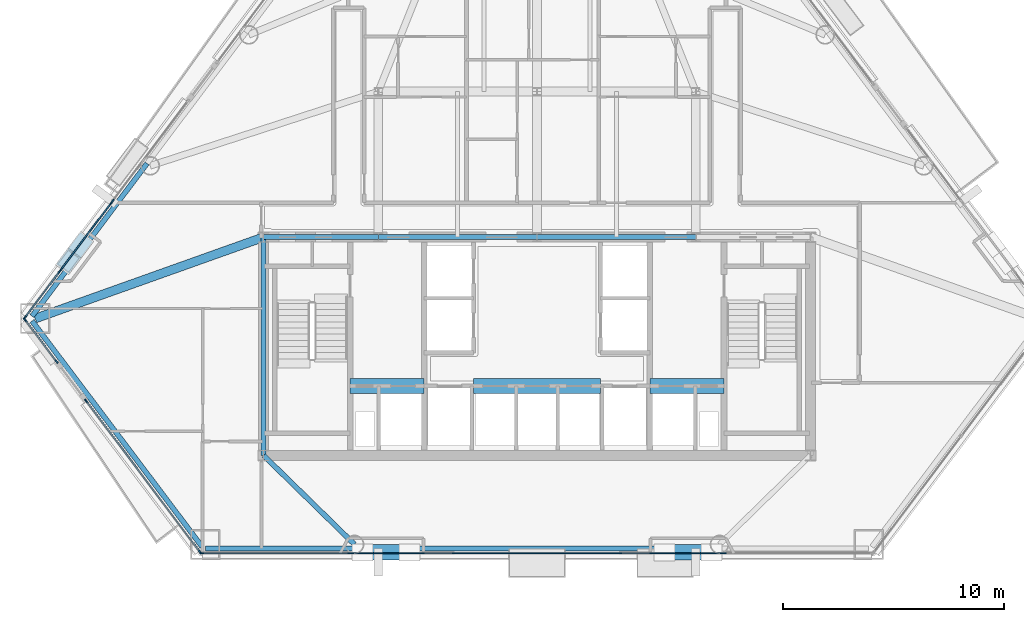
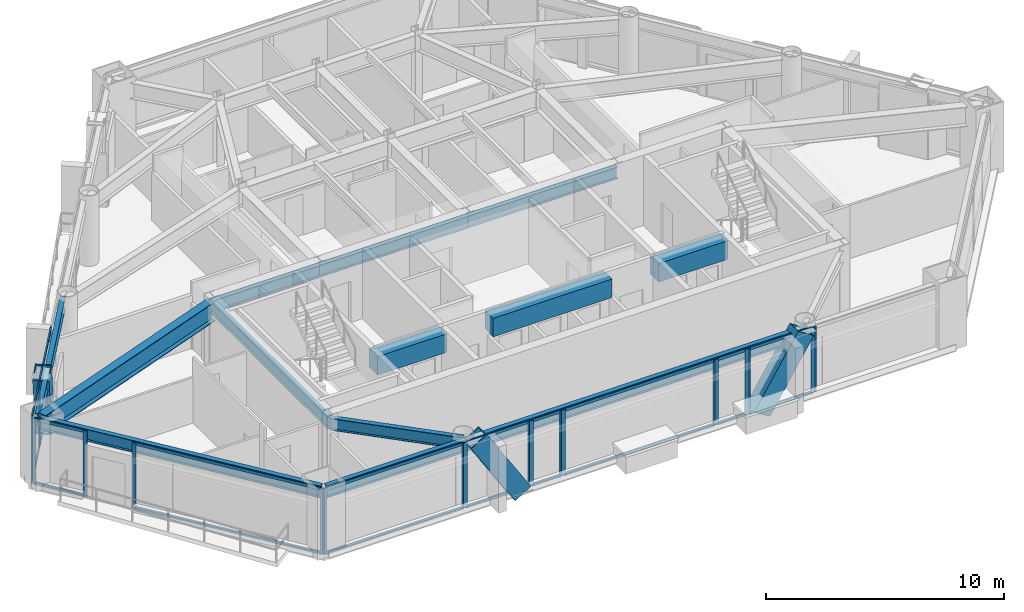
# One storey, part 2 of 11: 45 members, 13 beams, 12 elements without a shape of their own.
"""IFC4 building model written with IfcOpenShell, lengths in metres."""

from ifc_helpers import new_model, si_unit, direction, frame, origin, origin_2d, place, context, subcontext, project, spatial, rectangle, hollow_rectangle, i_section, extrude, material, layer, layer_set, material_profile, profile_set, type_object, element, aggregate, save


model = new_model("IFC4")

# Units and contexts
model_context = context("Model", 3, precision=1e-05, world=origin(), true_north=direction((0.0, 1.0)))
body_context = subcontext(model_context, "Body", "Model", "MODEL_VIEW")
ifc_project = project(units=[si_unit("LENGTHUNIT", "METRE"), si_unit("AREAUNIT", "SQUARE_METRE"), si_unit("VOLUMEUNIT", "CUBIC_METRE"), si_unit("PLANEANGLEUNIT", "RADIAN"), si_unit("MASSUNIT", "GRAM", prefix="KILO")], contexts=[model_context])

# Site, building, storey
site_placement = place(None, origin())
site = spatial("IfcSite", under=ifc_project, at=site_placement, CompositionType="ELEMENT")
building_placement = place(site_placement, origin())
building = spatial("IfcBuilding", under=site, at=building_placement, Name="Talgorran Terracotta Tower", CompositionType="ELEMENT")
storey_placement = place(building_placement, frame((0.0, 0.0, 45.89990234375)))
storey = spatial("IfcBuildingStorey", under=building, at=storey_placement, Name="L11", CompositionType="ELEMENT", Elevation=45.89990234375)

# Beams
ifc_material_1 = material(Name="Steel Grade 350 (350L0)", Category="steel")
ifc_material_profile_1 = material_profile(ifc_material_1, i_section(OverallWidth=0.39990234375, OverallDepth=1.0, WebThickness=0.01611328125, FlangeThickness=0.031005859375, at=origin_2d()), Name="1000WB296")
ifc_profile_set_1 = profile_set([ifc_material_profile_1], Name="Steel Grade 350 (350L0)")
beam_type_1 = type_object("IfcBeamType", Name="BM_1000WB296", PredefinedType="BEAM", material=ifc_profile_set_1)
beam_1_placement = place(storey_placement, frame((-12.39990234375, -4.199951171875, 2.85009765625), z_axis=(-0.941952171634, -0.335747086889, 0.0), x_axis=(0.335747086889, -0.941952171634, 0.0)))
element("IfcBeam", 1, at=beam_1_placement, inside=storey, type_object=beam_type_1, Name="L11 Floor Girder G17", PredefinedType="BEAM", context=body_context, shape_type="SweptSolid", body=[
    extrude(i_section(OverallWidth=0.39990234375, OverallDepth=1.0, WebThickness=0.01611328125, FlangeThickness=0.031005859375, at=origin_2d()), origin(), (0.0, 0.0, 1.0), 10.99755859375),
])
ifc_material_2 = material(Name="Concrete C65/80", Category="concrete")
ifc_material_profile_2 = material_profile(ifc_material_2, rectangle(XDim=0.699951171875, YDim=0.949951171875, at=origin_2d()), Name="RCCB700X950")
ifc_profile_set_2 = profile_set([ifc_material_profile_2], Name="Concrete C65/80")
beam_type_2 = type_object("IfcBeamType", Name="BM_CB_700X950", PredefinedType="LINTEL", material=ifc_profile_set_2)
beam_2_placement = place(storey_placement, frame((-8.47998046875, -10.949951171875, 2.875), z_axis=(1.0, 0.0, 0.0), x_axis=(0.0, 1.0, 0.0)))
element("IfcBeam", 2, at=beam_2_placement, inside=storey, type_object=beam_type_2, Name="L11 Core Shear-Wall Coupling Beam CB1", PredefinedType="LINTEL", context=body_context, shape_type="SweptSolid", body=[
    extrude(rectangle(XDim=0.699951171875, YDim=0.949951171875, at=origin_2d()), origin(), (0.0, 0.0, 1.0), 3.35986328125),
])
beam_3_placement = place(storey_placement, frame((-2.8798828125, -10.949951171875, 2.875), z_axis=(1.0, 0.0, 0.0), x_axis=(0.0, 1.0, 0.0)))
element("IfcBeam", 3, at=beam_3_placement, inside=storey, type_object=beam_type_2, Name="L11 Core Shear-Wall Coupling Beam CB2", PredefinedType="LINTEL", context=body_context, shape_type="SweptSolid", body=[
    extrude(rectangle(XDim=0.699951171875, YDim=0.949951171875, at=origin_2d()), origin(), (0.0, 0.0, 1.0), 5.759765625),
])
beam_4_placement = place(storey_placement, frame((5.1201171875, -10.949951171875, 2.875), z_axis=(1.0, 0.0, 0.0), x_axis=(0.0, 1.0, 0.0)))
element("IfcBeam", 4, at=beam_4_placement, inside=storey, type_object=beam_type_2, Name="L11 Core Shear-Wall Coupling Beam CB3", PredefinedType="LINTEL", context=body_context, shape_type="SweptSolid", body=[
    extrude(rectangle(XDim=0.699951171875, YDim=0.949951171875, at=origin_2d()), origin(), (0.0, 0.0, 1.0), 3.35986328125),
])
ifc_material_3 = material(Name="Steel S355 (300PLUS)", Category="steel")
ifc_material_profile_3 = material_profile(ifc_material_3, i_section(OverallWidth=0.22900390625, OverallDepth=0.611572265625, WebThickness=0.011962890625, FlangeThickness=0.01953125, at=origin_2d()), Name="610UB125")
ifc_profile_set_3 = profile_set([ifc_material_profile_3], Name="Steel S355 (300PLUS)")
beam_type_3 = type_object("IfcBeamType", Name="BM_SP_610UB125", PredefinedType="SPANDREL", material=ifc_profile_set_3)
beam_5_placement = place(storey_placement, frame((-22.90283203125, -8.000732421875, 3.044189453125), z_axis=(0.601631480878, -0.79877378601, 0.0), x_axis=(0.79877378601, 0.601631480878, 0.0)))
element("IfcBeam", 5, at=beam_5_placement, inside=storey, type_object=beam_type_3, Name="L11 Perimeter Spandrel Beam MC1-MC2", PredefinedType="SPANDREL", context=body_context, shape_type="SweptSolid", body=[
    extrude(i_section(OverallWidth=0.22900390625, OverallDepth=0.611572265625, WebThickness=0.011962890625, FlangeThickness=0.01953125, at=origin_2d()), origin(), (0.0, 0.0, 1.0), 12.82373046875),
])
beam_6_placement = place(storey_placement, frame((-15.0439453125, -18.315673828125, 3.044189453125), z_axis=(1.0, 0.0, 0.0), x_axis=(0.0, 1.0, 0.0)))
element("IfcBeam", 6, at=beam_6_placement, inside=storey, type_object=beam_type_3, Name="L11 Perimeter Spandrel Beam MC2-FC1", PredefinedType="SPANDREL", context=body_context, shape_type="SweptSolid", body=[
    extrude(i_section(OverallWidth=0.22900390625, OverallDepth=0.611572265625, WebThickness=0.011962890625, FlangeThickness=0.01953125, at=origin_2d()), origin(), (0.0, 0.0, 1.0), 6.769775390625),
])
beam_7_placement = place(storey_placement, frame((-8.274169921875, -18.315673828125, 3.044189453125), z_axis=(1.0, 0.0, 0.0), x_axis=(0.0, 1.0, 0.0)))
element("IfcBeam", 7, at=beam_7_placement, inside=storey, type_object=beam_type_3, Name="L11 Perimeter Spandrel Beam FC1-FC2", PredefinedType="SPANDREL", context=body_context, shape_type="SweptSolid", body=[
    extrude(i_section(OverallWidth=0.22900390625, OverallDepth=0.611572265625, WebThickness=0.011962890625, FlangeThickness=0.01953125, at=origin_2d()), origin(), (0.0, 0.0, 1.0), 16.54833984375),
])
beam_8_placement = place(storey_placement, frame((-17.68359375, -0.854736328125, 3.044189453125), z_axis=(-0.601633271951, -0.798772436981, 0.0), x_axis=(0.798772436981, -0.601633271951, 0.0)))
element("IfcBeam", 8, at=beam_8_placement, inside=storey, type_object=beam_type_3, Name="L11 Perimeter Spandrel Beam FC6-MC1", PredefinedType="SPANDREL", context=body_context, shape_type="SweptSolid", body=[
    extrude(i_section(OverallWidth=0.22900390625, OverallDepth=0.611572265625, WebThickness=0.011962890625, FlangeThickness=0.01953125, at=origin_2d()), origin(), (0.0, 0.0, 1.0), 8.675048828125),
])
beam_9_placement = place(storey_placement, frame((-8.274169921875, -18.135498046875, 3.044189453125), z_axis=(-0.714889648405, 0.699237292058, 0.0), x_axis=(-0.699237292058, -0.714889648405, 0.0)))
element("IfcBeam", 9, at=beam_9_placement, inside=storey, type_object=beam_type_3, Name="L11 South-West Core Tie Beam", PredefinedType="SPANDREL", context=body_context, shape_type="SweptSolid", body=[
    extrude(i_section(OverallWidth=0.22900390625, OverallDepth=0.611572265625, WebThickness=0.011962890625, FlangeThickness=0.01953125, at=origin_2d()), origin(), (0.0, 0.0, 1.0), 5.771240234375),
])
beam_10_placement = place(storey_placement, frame((-12.39990234375, -14.10009765625, 3.044189453125), z_axis=(0.0, 1.0, 0.0), x_axis=(-1.0, 0.0, 0.0)))
element("IfcBeam", 10, at=beam_10_placement, inside=storey, type_object=beam_type_3, Name="L11 Core Frame Beam CFW", PredefinedType="SPANDREL", context=body_context, shape_type="SweptSolid", body=[
    extrude(i_section(OverallWidth=0.22900390625, OverallDepth=0.611572265625, WebThickness=0.011962890625, FlangeThickness=0.01953125, at=origin_2d()), origin(), (0.0, 0.0, 1.0), 9.900146484375),
])
beam_11_placement = place(storey_placement, frame((-12.39990234375, -4.199951171875, 3.044189453125), z_axis=(1.0, 0.0, 0.0), x_axis=(0.0, 1.0, 0.0)))
element("IfcBeam", 11, at=beam_11_placement, inside=storey, type_object=beam_type_3, Name="L11 Core Frame Beam CFN1", PredefinedType="SPANDREL", context=body_context, shape_type="SweptSolid", body=[
    extrude(i_section(OverallWidth=0.22900390625, OverallDepth=0.611572265625, WebThickness=0.011962890625, FlangeThickness=0.01953125, at=origin_2d()), origin(), (0.0, 0.0, 1.0), 5.199951171875),
])
for number, where, z_axis, x_axis, name in (
    (12, (-7.199951171875, -4.199951171875, 3.044189453125), (1.0, 0.0, 0.0), (0.0, 1.0, 0.0), "L11 Core Frame Beam CFN2"),
    (13, (0.0, -4.199951171875, 3.044189453125), (1.0, 0.0, 0.0), (0.0, 1.0, 0.0), "L11 Core Frame Beam CFN3"),
):
    element("IfcBeam", number, at=place(storey_placement, frame(where, z_axis=z_axis, x_axis=x_axis)), inside=storey, type_object=beam_type_3, Name=name, PredefinedType="SPANDREL", context=body_context, shape_type="SweptSolid", body=[
        extrude(i_section(OverallWidth=0.22900390625, OverallDepth=0.611572265625, WebThickness=0.011962890625, FlangeThickness=0.01953125, at=origin_2d()), origin(), (0.0, 0.0, 1.0), 7.199951171875),
    ])

# Members
ifc_material_profile_4 = material_profile(ifc_material_1, hollow_rectangle(XDim=0.699951171875, YDim=0.89990234375, WallThickness=0.050048828125, at=origin_2d()), Name="WBOX900X700X50")
ifc_profile_set_4 = profile_set([ifc_material_profile_4], Name="Steel Grade 350 (350L0)")
member_type_1 = type_object("IfcMemberType", Name="MB_MEGA_900", PredefinedType="BRACE", material=ifc_profile_set_4)
for number, where, z_axis, x_axis, name in (
    (14, (-5.784912109375, -18.49560546875, -0.02490234375), (-0.531146924062, 0.0, 0.847279732473), (0.0, -1.0, 0.0), "L11 Exterior Face Mega-Brace MB-1 (SWF)"),
    (15, (5.784912109375, -18.49560546875, -0.02490234375), (0.531146924062, 0.0, 0.847279732473), (0.0, 1.0, 0.0), "L11 Exterior Face Mega-Brace MB-1 (SEF)"),
):
    element("IfcMember", number, at=place(storey_placement, frame(where, z_axis=z_axis, x_axis=x_axis)), inside=storey, type_object=member_type_1, Name=name, PredefinedType="BRACE", context=body_context, shape_type="SweptSolid", body=[
        extrude(hollow_rectangle(XDim=0.699951171875, YDim=0.89990234375, WallThickness=0.050048828125, at=origin_2d()), origin(), (0.0, 0.0, 1.0), 4.0126953125),
    ])
member_1_placement = place(storey_placement, frame((-20.689453125, -4.546142578125, -0.02490234375), z_axis=(-0.159330882723, -0.211541002485, 0.964294599217), x_axis=(0.798774681466, -0.601630291998, 0.0)))
element("IfcMember", 16, at=member_1_placement, inside=storey, type_object=member_type_1, Name="L11 Exterior Face Mega-Brace MB-1 (NWL)", PredefinedType="BRACE", context=body_context, shape_type="SweptSolid", body=[
    extrude(hollow_rectangle(XDim=0.699951171875, YDim=0.89990234375, WallThickness=0.050048828125, at=origin_2d()), origin(), (0.0, 0.0, 1.0), 3.52587890625),
])

# Curtain wall, members
ifc_material_4 = material(Name="Unitised Low-E Double Glazing", Category="glass")
ifc_layer = layer(ifc_material_4, 0.199951171875, Name="CW_SYS2_RES_LOW")
ifc_layer_set = layer_set([ifc_layer], Name="Unitised Low-E Double Glazing")
curtain_wall_type = type_object("IfcCurtainWallType", Name="CW_SYS2_RES_LOW", PredefinedType="NOTDEFINED", material=ifc_layer_set)
curtain_wall_1_placement = place(storey_placement, origin())
curtain_wall_1 = element("IfcCurtainWall", 17, at=curtain_wall_1_placement, inside=storey, type_object=curtain_wall_type, Name="CW-L11-F10", PredefinedType="NOTDEFINED")
ifc_material_5 = material(Name="Architectural Aluminium 6063-T6", Category="aluminium")
ifc_material_profile_5 = material_profile(ifc_material_5, rectangle(XDim=0.06494140625, YDim=0.18505859375, at=origin_2d()), Name="CWM65X185")
ifc_profile_set_5 = profile_set([ifc_material_profile_5], Name="Architectural Aluminium 6063-T6")
member_type_2 = type_object("IfcMemberType", Name="MUL_65X185", PredefinedType="MULLION", material=ifc_profile_set_5)
member_2_placement = place(storey_placement, frame((-23.216064453125, -7.950439453125, 0.0), z_axis=(0.0, 0.0, 1.0), x_axis=(0.798762938976, 0.601645881993, 0.0)))
member_2 = element("IfcMember", 18, at=member_2_placement, type_object=member_type_2, Name="CW-L11-10 mullion 1", PredefinedType="MULLION", context=body_context, shape_type="SweptSolid", body=[
    extrude(rectangle(XDim=0.06494140625, YDim=0.18505859375, at=origin_2d()), origin(), (0.0, 0.0, 1.0), 3.35009765625),
])
member_3_placement = place(storey_placement, frame((-21.788330078125, -9.845947265625, 0.0), z_axis=(0.0, 0.0, 1.0), x_axis=(0.798762938976, 0.601645881993, 0.0)))
member_3 = element("IfcMember", 19, at=member_3_placement, type_object=member_type_2, Name="CW-L11-10 mullion 2", PredefinedType="MULLION", context=body_context, shape_type="SweptSolid", body=[
    extrude(rectangle(XDim=0.06494140625, YDim=0.18505859375, at=origin_2d()), origin(), (0.0, 0.0, 1.0), 3.35009765625),
])

curtain_wall_2_placement = place(storey_placement, origin())
curtain_wall_2 = element("IfcCurtainWall", 20, at=curtain_wall_2_placement, inside=storey, type_object=curtain_wall_type, Name="CW-L11-F11", PredefinedType="NOTDEFINED")
member_4_placement = place(storey_placement, frame((-20.44970703125, -11.623291015625, 0.0), z_axis=(0.0, 0.0, 1.0), x_axis=(0.798772812972, 0.601632772758, 0.0)))
member_4 = element("IfcMember", 21, at=member_4_placement, type_object=member_type_2, Name="CW-L11-11 mullion 1", PredefinedType="MULLION", context=body_context, shape_type="SweptSolid", body=[
    extrude(rectangle(XDim=0.06494140625, YDim=0.18505859375, at=origin_2d()), origin(), (0.0, 0.0, 1.0), 3.35009765625),
])
member_5_placement = place(storey_placement, frame((-15.287109375, -18.4775390625, 0.0), z_axis=(0.0, 0.0, 1.0), x_axis=(0.798772812972, 0.601632772758, 0.0)))
member_5 = element("IfcMember", 22, at=member_5_placement, type_object=member_type_2, Name="CW-L11-11 mullion 2", PredefinedType="MULLION", context=body_context, shape_type="SweptSolid", body=[
    extrude(rectangle(XDim=0.06494140625, YDim=0.18505859375, at=origin_2d()), origin(), (0.0, 0.0, 1.0), 3.35009765625),
])

curtain_wall_3_placement = place(storey_placement, origin())
curtain_wall_3 = element("IfcCurtainWall", 23, at=curtain_wall_3_placement, inside=storey, type_object=curtain_wall_type, Name="CW-L11-F1", PredefinedType="NOTDEFINED")
member_6_placement = place(storey_placement, frame((-15.2109375, -18.53564453125, 0.0), z_axis=(0.0, 0.0, 1.0), x_axis=(0.0, 1.0, 0.0)))
member_6 = element("IfcMember", 24, at=member_6_placement, type_object=member_type_2, Name="CW-L11-1 mullion 1", PredefinedType="MULLION", context=body_context, shape_type="SweptSolid", body=[
    extrude(rectangle(XDim=0.06494140625, YDim=0.18505859375, at=origin_2d()), origin(), (0.0, 0.0, 1.0), 3.35009765625),
])
member_7_placement = place(storey_placement, frame((-8.485107421875, -18.53564453125, 0.0), z_axis=(0.0, 0.0, 1.0), x_axis=(0.0, 1.0, 0.0)))
member_7 = element("IfcMember", 25, at=member_7_placement, type_object=member_type_2, Name="CW-L11-1 mullion 2", PredefinedType="MULLION", context=body_context, shape_type="SweptSolid", body=[
    extrude(rectangle(XDim=0.06494140625, YDim=0.18505859375, at=origin_2d()), origin(), (0.0, 0.0, 1.0), 3.35009765625),
])

curtain_wall_4_placement = place(storey_placement, origin())
curtain_wall_4 = element("IfcCurtainWall", 26, at=curtain_wall_4_placement, inside=storey, type_object=curtain_wall_type, Name="CW-L11-F1B", PredefinedType="NOTDEFINED")
member_8_placement = place(storey_placement, frame((-8.409912109375, -18.53564453125, 0.0), z_axis=(0.0, 0.0, 1.0), x_axis=(0.0, 1.0, 0.0)))
member_8 = element("IfcMember", 27, at=member_8_placement, type_object=member_type_2, Name="CW-L11-1B mullion 1", PredefinedType="MULLION", context=body_context, shape_type="SweptSolid", body=[
    extrude(rectangle(XDim=0.06494140625, YDim=0.18505859375, at=origin_2d()), origin(), (0.0, 0.0, 1.0), 3.35009765625),
])
member_9_placement = place(storey_placement, frame((-5.291015625, -18.53564453125, 0.0), z_axis=(0.0, 0.0, 1.0), x_axis=(0.0, 1.0, 0.0)))
member_9 = element("IfcMember", 28, at=member_9_placement, type_object=member_type_2, Name="CW-L11-1B mullion 2", PredefinedType="MULLION", context=body_context, shape_type="SweptSolid", body=[
    extrude(rectangle(XDim=0.06494140625, YDim=0.18505859375, at=origin_2d()), origin(), (0.0, 0.0, 1.0), 3.35009765625),
])

curtain_wall_5_placement = place(storey_placement, origin())
curtain_wall_5 = element("IfcCurtainWall", 29, at=curtain_wall_5_placement, inside=storey, type_object=curtain_wall_type, Name="CW-L11-F1C", PredefinedType="NOTDEFINED")
member_10_placement = place(storey_placement, frame((-5.216064453125, -18.53564453125, 0.0), z_axis=(0.0, 0.0, 1.0), x_axis=(0.0, 1.0, 0.0)))
member_10 = element("IfcMember", 30, at=member_10_placement, type_object=member_type_2, Name="CW-L11-1C mullion 1", PredefinedType="MULLION", context=body_context, shape_type="SweptSolid", body=[
    extrude(rectangle(XDim=0.06494140625, YDim=0.18505859375, at=origin_2d()), origin(), (0.0, 0.0, 1.0), 3.35009765625),
])
member_11_placement = place(storey_placement, frame((-3.751220703125, -18.53564453125, 0.0), z_axis=(0.0, 0.0, 1.0), x_axis=(0.0, 1.0, 0.0)))
member_11 = element("IfcMember", 31, at=member_11_placement, type_object=member_type_2, Name="CW-L11-1C mullion 2", PredefinedType="MULLION", context=body_context, shape_type="SweptSolid", body=[
    extrude(rectangle(XDim=0.06494140625, YDim=0.18505859375, at=origin_2d()), origin(), (0.0, 0.0, 1.0), 3.35009765625),
])

curtain_wall_6_placement = place(storey_placement, origin())
curtain_wall_6 = element("IfcCurtainWall", 32, at=curtain_wall_6_placement, inside=storey, type_object=curtain_wall_type, Name="CW-L11-F1D", PredefinedType="NOTDEFINED")
member_12_placement = place(storey_placement, frame((-3.67626953125, -18.53564453125, 0.0), z_axis=(0.0, 0.0, 1.0), x_axis=(0.0, 1.0, 0.0)))
member_12 = element("IfcMember", 33, at=member_12_placement, type_object=member_type_2, Name="CW-L11-1D mullion 1", PredefinedType="MULLION", context=body_context, shape_type="SweptSolid", body=[
    extrude(rectangle(XDim=0.06494140625, YDim=0.18505859375, at=origin_2d()), origin(), (0.0, 0.0, 1.0), 3.35009765625),
])
member_13_placement = place(storey_placement, frame((3.67626953125, -18.53564453125, 0.0), z_axis=(0.0, 0.0, 1.0), x_axis=(0.0, 1.0, 0.0)))
member_13 = element("IfcMember", 34, at=member_13_placement, type_object=member_type_2, Name="CW-L11-1D mullion 2", PredefinedType="MULLION", context=body_context, shape_type="SweptSolid", body=[
    extrude(rectangle(XDim=0.06494140625, YDim=0.18505859375, at=origin_2d()), origin(), (0.0, 0.0, 1.0), 3.35009765625),
])

curtain_wall_7_placement = place(storey_placement, origin())
curtain_wall_7 = element("IfcCurtainWall", 35, at=curtain_wall_7_placement, inside=storey, type_object=curtain_wall_type, Name="CW-L11-F1E", PredefinedType="NOTDEFINED")
member_14_placement = place(storey_placement, frame((3.751220703125, -18.53564453125, 0.0), z_axis=(0.0, 0.0, 1.0), x_axis=(0.0, 1.0, 0.0)))
member_14 = element("IfcMember", 36, at=member_14_placement, type_object=member_type_2, Name="CW-L11-1E mullion 1", PredefinedType="MULLION", context=body_context, shape_type="SweptSolid", body=[
    extrude(rectangle(XDim=0.06494140625, YDim=0.18505859375, at=origin_2d()), origin(), (0.0, 0.0, 1.0), 3.35009765625),
])
member_15_placement = place(storey_placement, frame((5.216064453125, -18.53564453125, 0.0), z_axis=(0.0, 0.0, 1.0), x_axis=(0.0, 1.0, 0.0)))
member_15 = element("IfcMember", 37, at=member_15_placement, type_object=member_type_2, Name="CW-L11-1E mullion 2", PredefinedType="MULLION", context=body_context, shape_type="SweptSolid", body=[
    extrude(rectangle(XDim=0.06494140625, YDim=0.18505859375, at=origin_2d()), origin(), (0.0, 0.0, 1.0), 3.35009765625),
])

curtain_wall_8_placement = place(storey_placement, origin())
curtain_wall_8 = element("IfcCurtainWall", 38, at=curtain_wall_8_placement, inside=storey, type_object=curtain_wall_type, Name="CW-L11-F1F", PredefinedType="NOTDEFINED")
member_16_placement = place(storey_placement, frame((5.291015625, -18.53564453125, 0.0), z_axis=(0.0, 0.0, 1.0), x_axis=(0.0, 1.0, 0.0)))
member_16 = element("IfcMember", 39, at=member_16_placement, type_object=member_type_2, Name="CW-L11-1F mullion 1", PredefinedType="MULLION", context=body_context, shape_type="SweptSolid", body=[
    extrude(rectangle(XDim=0.06494140625, YDim=0.18505859375, at=origin_2d()), origin(), (0.0, 0.0, 1.0), 3.35009765625),
])
member_17_placement = place(storey_placement, frame((8.409912109375, -18.53564453125, 0.0), z_axis=(0.0, 0.0, 1.0), x_axis=(0.0, 1.0, 0.0)))
member_17 = element("IfcMember", 40, at=member_17_placement, type_object=member_type_2, Name="CW-L11-1F mullion 2", PredefinedType="MULLION", context=body_context, shape_type="SweptSolid", body=[
    extrude(rectangle(XDim=0.06494140625, YDim=0.18505859375, at=origin_2d()), origin(), (0.0, 0.0, 1.0), 3.35009765625),
])

# Curtain wall, member
curtain_wall_9_placement = place(storey_placement, origin())
curtain_wall_9 = element("IfcCurtainWall", 41, at=curtain_wall_9_placement, inside=storey, type_object=curtain_wall_type, Name="CW-L11-F1G", PredefinedType="NOTDEFINED")
member_18_placement = place(storey_placement, frame((8.485107421875, -18.53564453125, 0.0), z_axis=(0.0, 0.0, 1.0), x_axis=(0.0, 1.0, 0.0)))
member_18 = element("IfcMember", 42, at=member_18_placement, type_object=member_type_2, Name="CW-L11-1G mullion 1", PredefinedType="MULLION", context=body_context, shape_type="SweptSolid", body=[
    extrude(rectangle(XDim=0.06494140625, YDim=0.18505859375, at=origin_2d()), origin(), (0.0, 0.0, 1.0), 3.35009765625),
])
aggregate(curtain_wall_9, [member_18])

curtain_wall_10_placement = place(storey_placement, origin())
curtain_wall_10 = element("IfcCurtainWall", 43, at=curtain_wall_10_placement, inside=storey, type_object=curtain_wall_type, Name="CW-L11-F61", PredefinedType="NOTDEFINED")
member_19_placement = place(storey_placement, frame((-19.2470703125, -2.56494140625, 0.0), z_axis=(0.0, 0.0, 1.0), x_axis=(0.79877585665, -0.601628731722, 0.0)))
member_19 = element("IfcMember", 44, at=member_19_placement, type_object=member_type_2, Name="CW-L11-61 mullion 2", PredefinedType="MULLION", context=body_context, shape_type="SweptSolid", body=[
    extrude(rectangle(XDim=0.06494140625, YDim=0.18505859375, at=origin_2d()), origin(), (0.0, 0.0, 1.0), 3.35009765625),
])
aggregate(curtain_wall_10, [member_19])

# Curtain wall, members
curtain_wall_11_placement = place(storey_placement, origin())
curtain_wall_11 = element("IfcCurtainWall", 45, at=curtain_wall_11_placement, inside=storey, type_object=curtain_wall_type, Name="CW-L11-F61B", PredefinedType="NOTDEFINED")
member_20_placement = place(storey_placement, frame((-19.292236328125, -2.624755859375, 0.0), z_axis=(0.0, 0.0, 1.0), x_axis=(0.798774003378, -0.601631192283, 0.0)))
member_20 = element("IfcMember", 46, at=member_20_placement, type_object=member_type_2, Name="CW-L11-61B mullion 1", PredefinedType="MULLION", context=body_context, shape_type="SweptSolid", body=[
    extrude(rectangle(XDim=0.06494140625, YDim=0.18505859375, at=origin_2d()), origin(), (0.0, 0.0, 1.0), 3.35009765625),
])
member_21_placement = place(storey_placement, frame((-21.61181640625, -5.704345703125, 0.0), z_axis=(0.0, 0.0, 1.0), x_axis=(0.798774003378, -0.601631192283, 0.0)))
member_21 = element("IfcMember", 47, at=member_21_placement, type_object=member_type_2, Name="CW-L11-61B mullion 2", PredefinedType="MULLION", context=body_context, shape_type="SweptSolid", body=[
    extrude(rectangle(XDim=0.06494140625, YDim=0.18505859375, at=origin_2d()), origin(), (0.0, 0.0, 1.0), 3.35009765625),
])

curtain_wall_12_placement = place(storey_placement, origin())
curtain_wall_12 = element("IfcCurtainWall", 48, at=curtain_wall_12_placement, inside=storey, type_object=curtain_wall_type, Name="CW-L11-F61C", PredefinedType="NOTDEFINED")
member_22_placement = place(storey_placement, frame((-21.656982421875, -5.764404296875, 0.0), z_axis=(0.0, 0.0, 1.0), x_axis=(0.798769677919, -0.601636935067, 0.0)))
member_22 = element("IfcMember", 49, at=member_22_placement, type_object=member_type_2, Name="CW-L11-61C mullion 1", PredefinedType="MULLION", context=body_context, shape_type="SweptSolid", body=[
    extrude(rectangle(XDim=0.06494140625, YDim=0.18505859375, at=origin_2d()), origin(), (0.0, 0.0, 1.0), 3.35009765625),
])
member_23_placement = place(storey_placement, frame((-23.216064453125, -7.83447265625, 0.0), z_axis=(0.0, 0.0, 1.0), x_axis=(0.798769677919, -0.601636935067, 0.0)))
member_23 = element("IfcMember", 50, at=member_23_placement, type_object=member_type_2, Name="CW-L11-61C mullion 2", PredefinedType="MULLION", context=body_context, shape_type="SweptSolid", body=[
    extrude(rectangle(XDim=0.06494140625, YDim=0.18505859375, at=origin_2d()), origin(), (0.0, 0.0, 1.0), 3.35009765625),
])

# Member
ifc_material_profile_6 = material_profile(ifc_material_5, rectangle(XDim=0.06494140625, YDim=0.14990234375, at=origin_2d()), Name="CWT65X150")
ifc_profile_set_6 = profile_set([ifc_material_profile_6], Name="Architectural Aluminium 6063-T6")
member_type_3 = type_object("IfcMemberType", Name="TRN_65X150", PredefinedType="USERDEFINED", material=ifc_profile_set_6)
member_24_placement = place(storey_placement, frame((-23.196533203125, -7.976318359375, 0.03271484375), z_axis=(0.601623399788, -0.798779872573, 0.0), x_axis=(0.798779872573, 0.601623399788, 0.0)))
member_24 = element("IfcMember", 51, at=member_24_placement, type_object=member_type_3, Name="CW-L11-10 transom 1.1", ObjectType="TRANSOM", PredefinedType="USERDEFINED", context=body_context, shape_type="SweptSolid", body=[
    extrude(rectangle(XDim=0.06494140625, YDim=0.14990234375, at=origin_2d()), origin(), (0.0, 0.0, 1.0), 2.30810546875),
])

member_25_placement = place(storey_placement, frame((-23.196533203125, -7.976318359375, 3.317626953125), z_axis=(0.601623399788, -0.798779872573, 0.0), x_axis=(0.798779872573, 0.601623399788, 0.0)))
member_25 = element("IfcMember", 52, at=member_25_placement, type_object=member_type_3, Name="CW-L11-10 transom 1.2", ObjectType="TRANSOM", PredefinedType="USERDEFINED", context=body_context, shape_type="SweptSolid", body=[
    extrude(rectangle(XDim=0.06494140625, YDim=0.14990234375, at=origin_2d()), origin(), (0.0, 0.0, 1.0), 2.30810546875),
])

aggregate(curtain_wall_1, [member_2, member_3, member_24, member_25])

member_26_placement = place(storey_placement, frame((-20.43017578125, -11.649169921875, 0.03271484375), z_axis=(0.601627100732, -0.79877708509, 0.0), x_axis=(0.79877708509, 0.601627100732, 0.0)))
member_26 = element("IfcMember", 53, at=member_26_placement, type_object=member_type_3, Name="CW-L11-11 transom 1.1", ObjectType="TRANSOM", PredefinedType="USERDEFINED", context=body_context, shape_type="SweptSolid", body=[
    extrude(rectangle(XDim=0.06494140625, YDim=0.14990234375, at=origin_2d()), origin(), (0.0, 0.0, 1.0), 8.51611328125),
])

member_27_placement = place(storey_placement, frame((-20.43017578125, -11.649169921875, 3.317626953125), z_axis=(0.601627100732, -0.79877708509, 0.0), x_axis=(0.79877708509, 0.601627100732, 0.0)))
member_27 = element("IfcMember", 54, at=member_27_placement, type_object=member_type_3, Name="CW-L11-11 transom 1.2", ObjectType="TRANSOM", PredefinedType="USERDEFINED", context=body_context, shape_type="SweptSolid", body=[
    extrude(rectangle(XDim=0.06494140625, YDim=0.14990234375, at=origin_2d()), origin(), (0.0, 0.0, 1.0), 8.51611328125),
])

aggregate(curtain_wall_2, [member_4, member_5, member_26, member_27])

member_28_placement = place(storey_placement, frame((-15.178466796875, -18.53564453125, 0.03271484375), z_axis=(1.0, 0.0, 0.0), x_axis=(0.0, 1.0, 0.0)))
member_28 = element("IfcMember", 55, at=member_28_placement, type_object=member_type_3, Name="CW-L11-1 transom 1.1", ObjectType="TRANSOM", PredefinedType="USERDEFINED", context=body_context, shape_type="SweptSolid", body=[
    extrude(rectangle(XDim=0.06494140625, YDim=0.14990234375, at=origin_2d()), origin(), (0.0, 0.0, 1.0), 6.660888671875),
])

member_29_placement = place(storey_placement, frame((-15.178466796875, -18.53564453125, 3.317626953125), z_axis=(1.0, 0.0, 0.0), x_axis=(0.0, 1.0, 0.0)))
member_29 = element("IfcMember", 56, at=member_29_placement, type_object=member_type_3, Name="CW-L11-1 transom 1.2", ObjectType="TRANSOM", PredefinedType="USERDEFINED", context=body_context, shape_type="SweptSolid", body=[
    extrude(rectangle(XDim=0.06494140625, YDim=0.14990234375, at=origin_2d()), origin(), (0.0, 0.0, 1.0), 6.660888671875),
])

aggregate(curtain_wall_3, [member_6, member_7, member_28, member_29])

member_30_placement = place(storey_placement, frame((-8.37744140625, -18.53564453125, 0.03271484375), z_axis=(1.0, 0.0, 0.0), x_axis=(0.0, 1.0, 0.0)))
member_30 = element("IfcMember", 57, at=member_30_placement, type_object=member_type_3, Name="CW-L11-1B transom 1.1", ObjectType="TRANSOM", PredefinedType="USERDEFINED", context=body_context, shape_type="SweptSolid", body=[
    extrude(rectangle(XDim=0.06494140625, YDim=0.14990234375, at=origin_2d()), origin(), (0.0, 0.0, 1.0), 3.053955078125),
])

member_31_placement = place(storey_placement, frame((-8.37744140625, -18.53564453125, 3.317626953125), z_axis=(1.0, 0.0, 0.0), x_axis=(0.0, 1.0, 0.0)))
member_31 = element("IfcMember", 58, at=member_31_placement, type_object=member_type_3, Name="CW-L11-1B transom 1.2", ObjectType="TRANSOM", PredefinedType="USERDEFINED", context=body_context, shape_type="SweptSolid", body=[
    extrude(rectangle(XDim=0.06494140625, YDim=0.14990234375, at=origin_2d()), origin(), (0.0, 0.0, 1.0), 3.053955078125),
])

aggregate(curtain_wall_4, [member_8, member_9, member_30, member_31])

member_32_placement = place(storey_placement, frame((-5.18359375, -18.53564453125, 0.03271484375), z_axis=(1.0, 0.0, 0.0), x_axis=(0.0, 1.0, 0.0)))
member_32 = element("IfcMember", 59, at=member_32_placement, type_object=member_type_3, Name="CW-L11-1C transom 1.1", ObjectType="TRANSOM", PredefinedType="USERDEFINED", context=body_context, shape_type="SweptSolid", body=[
    extrude(rectangle(XDim=0.06494140625, YDim=0.14990234375, at=origin_2d()), origin(), (0.0, 0.0, 1.0), 1.39990234375),
])

member_33_placement = place(storey_placement, frame((-5.18359375, -18.53564453125, 3.317626953125), z_axis=(1.0, 0.0, 0.0), x_axis=(0.0, 1.0, 0.0)))
member_33 = element("IfcMember", 60, at=member_33_placement, type_object=member_type_3, Name="CW-L11-1C transom 1.2", ObjectType="TRANSOM", PredefinedType="USERDEFINED", context=body_context, shape_type="SweptSolid", body=[
    extrude(rectangle(XDim=0.06494140625, YDim=0.14990234375, at=origin_2d()), origin(), (0.0, 0.0, 1.0), 1.39990234375),
])

aggregate(curtain_wall_5, [member_10, member_11, member_32, member_33])

member_34_placement = place(storey_placement, frame((-3.643798828125, -18.53564453125, 0.03271484375), z_axis=(1.0, 0.0, 0.0), x_axis=(0.0, 1.0, 0.0)))
member_34 = element("IfcMember", 61, at=member_34_placement, type_object=member_type_3, Name="CW-L11-1D transom 1.1", ObjectType="TRANSOM", PredefinedType="USERDEFINED", context=body_context, shape_type="SweptSolid", body=[
    extrude(rectangle(XDim=0.06494140625, YDim=0.14990234375, at=origin_2d()), origin(), (0.0, 0.0, 1.0), 7.28759765625),
])

member_35_placement = place(storey_placement, frame((-3.643798828125, -18.53564453125, 3.317626953125), z_axis=(1.0, 0.0, 0.0), x_axis=(0.0, 1.0, 0.0)))
member_35 = element("IfcMember", 62, at=member_35_placement, type_object=member_type_3, Name="CW-L11-1D transom 1.2", ObjectType="TRANSOM", PredefinedType="USERDEFINED", context=body_context, shape_type="SweptSolid", body=[
    extrude(rectangle(XDim=0.06494140625, YDim=0.14990234375, at=origin_2d()), origin(), (0.0, 0.0, 1.0), 7.28759765625),
])

aggregate(curtain_wall_6, [member_12, member_13, member_34, member_35])

member_36_placement = place(storey_placement, frame((3.78369140625, -18.53564453125, 0.03271484375), z_axis=(1.0, 0.0, 0.0), x_axis=(0.0, 1.0, 0.0)))
member_36 = element("IfcMember", 63, at=member_36_placement, type_object=member_type_3, Name="CW-L11-1E transom 1.1", ObjectType="TRANSOM", PredefinedType="USERDEFINED", context=body_context, shape_type="SweptSolid", body=[
    extrude(rectangle(XDim=0.06494140625, YDim=0.14990234375, at=origin_2d()), origin(), (0.0, 0.0, 1.0), 1.39990234375),
])

member_37_placement = place(storey_placement, frame((3.78369140625, -18.53564453125, 3.317626953125), z_axis=(1.0, 0.0, 0.0), x_axis=(0.0, 1.0, 0.0)))
member_37 = element("IfcMember", 64, at=member_37_placement, type_object=member_type_3, Name="CW-L11-1E transom 1.2", ObjectType="TRANSOM", PredefinedType="USERDEFINED", context=body_context, shape_type="SweptSolid", body=[
    extrude(rectangle(XDim=0.06494140625, YDim=0.14990234375, at=origin_2d()), origin(), (0.0, 0.0, 1.0), 1.39990234375),
])

aggregate(curtain_wall_7, [member_14, member_15, member_36, member_37])

member_38_placement = place(storey_placement, frame((5.323486328125, -18.53564453125, 0.03271484375), z_axis=(1.0, 0.0, 0.0), x_axis=(0.0, 1.0, 0.0)))
member_38 = element("IfcMember", 65, at=member_38_placement, type_object=member_type_3, Name="CW-L11-1F transom 1.1", ObjectType="TRANSOM", PredefinedType="USERDEFINED", context=body_context, shape_type="SweptSolid", body=[
    extrude(rectangle(XDim=0.06494140625, YDim=0.14990234375, at=origin_2d()), origin(), (0.0, 0.0, 1.0), 3.053955078125),
])

member_39_placement = place(storey_placement, frame((5.323486328125, -18.53564453125, 3.317626953125), z_axis=(1.0, 0.0, 0.0), x_axis=(0.0, 1.0, 0.0)))
member_39 = element("IfcMember", 66, at=member_39_placement, type_object=member_type_3, Name="CW-L11-1F transom 1.2", ObjectType="TRANSOM", PredefinedType="USERDEFINED", context=body_context, shape_type="SweptSolid", body=[
    extrude(rectangle(XDim=0.06494140625, YDim=0.14990234375, at=origin_2d()), origin(), (0.0, 0.0, 1.0), 3.053955078125),
])

aggregate(curtain_wall_8, [member_16, member_17, member_38, member_39])

member_40_placement = place(storey_placement, frame((-19.311767578125, -2.650634765625, 0.03271484375), z_axis=(-0.601626969468, -0.798777183956, 0.0), x_axis=(0.798777183956, -0.601626969468, 0.0)))
member_40 = element("IfcMember", 67, at=member_40_placement, type_object=member_type_3, Name="CW-L11-61B transom 1.1", ObjectType="TRANSOM", PredefinedType="USERDEFINED", context=body_context, shape_type="SweptSolid", body=[
    extrude(rectangle(XDim=0.06494140625, YDim=0.14990234375, at=origin_2d()), origin(), (0.0, 0.0, 1.0), 3.79052734375),
])

member_41_placement = place(storey_placement, frame((-19.311767578125, -2.650634765625, 3.317626953125), z_axis=(-0.601626969468, -0.798777183956, 0.0), x_axis=(0.798777183956, -0.601626969468, 0.0)))
member_41 = element("IfcMember", 68, at=member_41_placement, type_object=member_type_3, Name="CW-L11-61B transom 1.2", ObjectType="TRANSOM", PredefinedType="USERDEFINED", context=body_context, shape_type="SweptSolid", body=[
    extrude(rectangle(XDim=0.06494140625, YDim=0.14990234375, at=origin_2d()), origin(), (0.0, 0.0, 1.0), 3.79052734375),
])

aggregate(curtain_wall_11, [member_20, member_21, member_40, member_41])

member_42_placement = place(storey_placement, frame((-21.676513671875, -5.790283203125, 0.03271484375), z_axis=(-0.601591201846, -0.798804122336, 0.0), x_axis=(0.798804122336, -0.601591201846, 0.0)))
member_42 = element("IfcMember", 69, at=member_42_placement, type_object=member_type_3, Name="CW-L11-61C transom 1.1", ObjectType="TRANSOM", PredefinedType="USERDEFINED", context=body_context, shape_type="SweptSolid", body=[
    extrude(rectangle(XDim=0.06494140625, YDim=0.14990234375, at=origin_2d()), origin(), (0.0, 0.0, 1.0), 2.526611328125),
])

member_43_placement = place(storey_placement, frame((-21.676513671875, -5.790283203125, 3.317626953125), z_axis=(-0.601591201846, -0.798804122336, 0.0), x_axis=(0.798804122336, -0.601591201846, 0.0)))
member_43 = element("IfcMember", 70, at=member_43_placement, type_object=member_type_3, Name="CW-L11-61C transom 1.2", ObjectType="TRANSOM", PredefinedType="USERDEFINED", context=body_context, shape_type="SweptSolid", body=[
    extrude(rectangle(XDim=0.06494140625, YDim=0.14990234375, at=origin_2d()), origin(), (0.0, 0.0, 1.0), 2.526611328125),
])

aggregate(curtain_wall_12, [member_22, member_23, member_42, member_43])

save(model, "model.ifc")
